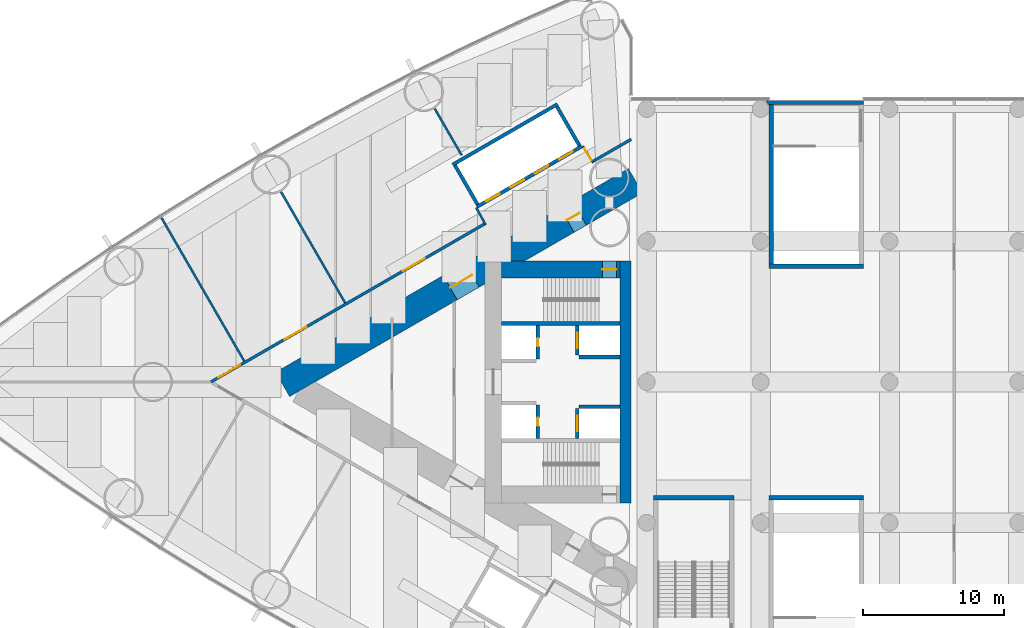
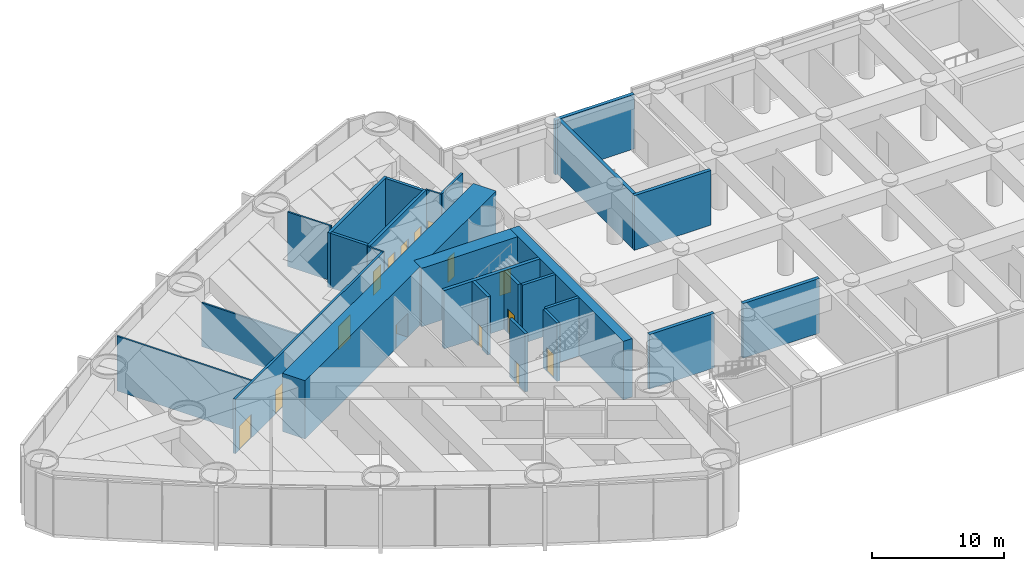
# One storey, part 15 of 20: 26 walls, 15 doors, 15 openings.
"""IFC4 building model written with IfcOpenShell, lengths in metres."""

from ifc_helpers import new_model, si_unit, direction, frame, frame_2d, origin, place, context, subcontext, project, spatial, rectangle, extrude, material, layer, layer_set, type_object, element, fill, save


model = new_model("IFC4")

# Units and contexts
model_context = context("Model", 3, precision=1e-05, world=origin(), true_north=direction((0.0, 1.0)))
body_context = subcontext(model_context, "Body", "Model", "MODEL_VIEW")
ifc_project = project(units=[si_unit("LENGTHUNIT", "METRE"), si_unit("AREAUNIT", "SQUARE_METRE"), si_unit("VOLUMEUNIT", "CUBIC_METRE"), si_unit("PLANEANGLEUNIT", "RADIAN"), si_unit("MASSUNIT", "GRAM", prefix="KILO")], contexts=[model_context])

# Site, building, storey
site_placement = place(None, origin())
site = spatial("IfcSite", under=ifc_project, at=site_placement, CompositionType="ELEMENT")
building_placement = place(site_placement, origin())
building = spatial("IfcBuilding", under=site, at=building_placement, Name="Lancet Gate Hotel", CompositionType="ELEMENT")
storey_placement = place(building_placement, frame((0.0, 0.0, 7.199951171875)))
storey = spatial("IfcBuildingStorey", under=building, at=storey_placement, Name="L01", CompositionType="ELEMENT", Elevation=7.199951171875)

# Wall, openings, doors
ifc_material_1 = material(Name="Concrete C70/85", Category="concrete")
ifc_layer_1 = layer(ifc_material_1, 2.0)
ifc_layer_set_1 = layer_set([ifc_layer_1], Name="Buttress wall 2000")
wall_type_1 = type_object("IfcWallType", Name="Buttress wall 2000", PredefinedType="SHEAR", material=ifc_layer_set_1)
wall_1_placement = place(storey_placement, frame((-27.199951171875, 14.300048828125, 0.0), z_axis=(0.0, 0.0, 1.0), x_axis=(-0.866026593062, -0.499997940104, 0.0)))
wall_1 = element("IfcWall", 1, at=wall_1_placement, inside=storey, type_object=wall_type_1, Name="T1 buttress wall S L01", PredefinedType="SHEAR", context=body_context, shape_type="SweptSolid", body=[
    extrude(rectangle(XDim=28.9462890625, YDim=2.0, at=frame_2d((14.47314453125, 0.0))), origin(), (0.0, 0.0, 1.0), 5.400146484375),
])
opening_1_placement = place(wall_1_placement, frame((4.60009765625, 0.0, 0.0)))
opening_1 = element("IfcOpeningElement", 2, at=opening_1_placement, cuts=wall_1, Name="Opening T1-L01-LS", PredefinedType="OPENING", context=body_context, shape_type="SweptSolid", body=[
    extrude(rectangle(XDim=1.0, YDim=2.199951171875, at=frame_2d((0.5, 1.10009765625))), frame((0.0, 1.010009765625, 0.0), z_axis=(0.0, -1.0, 0.0), x_axis=(1.0, 0.0, 0.0)), (0.0, 0.0, 1.0), 2.02001953125),
])
opening_2_placement = place(wall_1_placement, frame((13.39453125, 0.0, 0.0)))
opening_2 = element("IfcOpeningElement", 3, at=opening_2_placement, cuts=wall_1, Name="Opening T1-L01-LHS", PredefinedType="OPENING", context=body_context, shape_type="SweptSolid", body=[
    extrude(rectangle(XDim=1.800048828125, YDim=2.199951171875, at=frame_2d((0.89990234375, 1.10009765625))), frame((0.0, 1.010009765625, 0.0), z_axis=(0.0, -1.0, 0.0), x_axis=(1.0, 0.0, 0.0)), (0.0, 0.0, 1.0), 2.02001953125),
])
ifc_material_2 = material(Name="Timber door set", Category="wood")
door_type_1 = type_object("IfcDoorType", Name="Lobby double door 1800", OperationType="DOUBLE_DOOR_SINGLE_SWING", PredefinedType="DOOR", material=ifc_material_2)
door_1_placement = place(opening_2_placement, origin())
door_1 = element("IfcDoor", 4, at=door_1_placement, inside=storey, type_object=door_type_1, Name="T1-L01-LHS", OperationType="DOUBLE_DOOR_SINGLE_SWING", OverallHeight=2.199951171875, OverallWidth=1.800048828125, PredefinedType="DOOR", context=body_context, shape_type="SweptSolid", body=[
    extrude(rectangle(XDim=1.800048828125, YDim=2.199951171875, at=frame_2d((0.89990234375, 1.10009765625))), frame((0.0, 0.02490234375, 0.0), z_axis=(0.0, -1.0, 0.0), x_axis=(1.0, 0.0, 0.0)), (0.0, 0.0, 1.0), 0.050048828125),
])
fill(opening_2, door_1)
ifc_material_3 = material(Name="Timber door set", Category="wood")
door_type_2 = type_object("IfcDoorType", Name="Stair lobby door 1000", OperationType="SINGLE_SWING_LEFT", PredefinedType="DOOR", material=ifc_material_3)
door_2_placement = place(opening_1_placement, origin())
door_2 = element("IfcDoor", 5, at=door_2_placement, inside=storey, type_object=door_type_2, Name="T1-L01-LS", OperationType="SINGLE_SWING_LEFT", OverallHeight=2.199951171875, OverallWidth=1.0, PredefinedType="DOOR", context=body_context, shape_type="SweptSolid", body=[
    extrude(rectangle(XDim=1.0, YDim=2.199951171875, at=frame_2d((0.5, 1.10009765625))), frame((0.0, 0.02490234375, 0.0), z_axis=(0.0, -1.0, 0.0), x_axis=(1.0, 0.0, 0.0)), (0.0, 0.0, 1.0), 0.050048828125),
])
fill(opening_1, door_2)

# Wall, opening, door
ifc_material_4 = material(Name="Concrete C70/85", Category="concrete")
ifc_layer_2 = layer(ifc_material_4, 1.199951171875)
ifc_layer_set_2 = layer_set([ifc_layer_2], Name="Core wall 1200")
wall_type_2 = type_object("IfcWallType", Name="Core wall 1200", PredefinedType="SHEAR", material=ifc_layer_set_2)
wall_2_placement = place(storey_placement, frame((-28.300048828125, 8.0, 0.0), z_axis=(0.0, 0.0, 1.0), x_axis=(-1.0, 0.0, 0.0)))
wall_2 = element("IfcWall", 6, at=wall_2_placement, inside=storey, type_object=wall_type_2, Name="T1 core wall side-S L01", PredefinedType="SHEAR", context=body_context, shape_type="SweptSolid", body=[
    extrude(rectangle(XDim=8.39990234375, YDim=1.199951171875, at=frame_2d((4.199951171875, 0.0))), origin(), (0.0, 0.0, 1.0), 5.400146484375),
])
opening_3_placement = place(wall_2_placement, frame((0.25, 0.0, 0.0)))
opening_3 = element("IfcOpeningElement", 7, at=opening_3_placement, cuts=wall_2, Name="Opening T1-L01-ST1", PredefinedType="OPENING", context=body_context, shape_type="SweptSolid", body=[
    extrude(rectangle(XDim=1.0, YDim=2.199951171875, at=frame_2d((0.5, 1.10009765625))), frame((0.0, 0.60986328125, 0.0), z_axis=(0.0, -1.0, 0.0), x_axis=(1.0, 0.0, 0.0)), (0.0, 0.0, 1.0), 1.219970703125),
])
ifc_material_5 = material(Name="Timber door set", Category="wood")
door_type_3 = type_object("IfcDoorType", Name="Stair door 1000", OperationType="SINGLE_SWING_RIGHT", PredefinedType="DOOR", material=ifc_material_5)
door_3_placement = place(opening_3_placement, origin())
door_3 = element("IfcDoor", 8, at=door_3_placement, inside=storey, type_object=door_type_3, Name="T1-L01-ST1", OperationType="SINGLE_SWING_RIGHT", OverallHeight=2.199951171875, OverallWidth=1.0, PredefinedType="DOOR", context=body_context, shape_type="SweptSolid", body=[
    extrude(rectangle(XDim=1.0, YDim=2.199951171875, at=frame_2d((0.5, 1.10009765625))), frame((0.0, 0.02490234375, 0.0), z_axis=(0.0, -1.0, 0.0), x_axis=(1.0, 0.0, 0.0)), (0.0, 0.0, 1.0), 0.050048828125),
])
fill(opening_3, door_3)

# Walls
ifc_material_6 = material(Name="Concrete C70/85", Category="concrete")
ifc_layer_3 = layer(ifc_material_6, 0.800048828125)
ifc_layer_set_3 = layer_set([ifc_layer_3], Name="Core wall 800")
wall_type_3 = type_object("IfcWallType", Name="Core wall 800", PredefinedType="SHEAR", material=ifc_layer_set_3)
wall_3_placement = place(storey_placement, frame((-27.89990234375, 8.60009765625, 0.0), z_axis=(0.0, 0.0, 1.0), x_axis=(0.0, -1.0, 0.0)))
element("IfcWall", 9, at=wall_3_placement, inside=storey, type_object=wall_type_3, Name="T1 core wall front L01", PredefinedType="SHEAR", context=body_context, shape_type="SweptSolid", body=[
    extrude(rectangle(XDim=17.2001953125, YDim=0.800048828125, at=frame_2d((8.60009765625, 0.0))), origin(), (0.0, 0.0, 1.0), 5.400146484375),
])
ifc_material_7 = material(Name="Gypsum board partition")
ifc_layer_4 = layer(ifc_material_7, 0.199951171875)
ifc_layer_set_4 = layer_set([ifc_layer_4], Name="Corridor wall 200")
wall_type_4 = type_object("IfcWallType", Name="Corridor wall 200", PredefinedType="PARTITIONING", material=ifc_layer_set_4)
wall_4_placement = place(storey_placement, frame((-27.5, 17.244384765625, 0.0), z_axis=(0.0, 0.0, 1.0), x_axis=(-0.866039316896, -0.499975901009, 0.0)))
element("IfcWall", 10, at=wall_4_placement, inside=storey, type_object=wall_type_4, Name="T1 corridor wall 200 L01", PredefinedType="PARTITIONING", context=body_context, shape_type="SweptSolid", body=[
    extrude(rectangle(XDim=3.168701171875, YDim=0.199951171875, at=frame_2d((1.58447265625, 0.0))), origin(), (0.0, 0.0, 1.0), 5.050048828125),
])

# Wall, openings, doors
wall_5_placement = place(storey_placement, frame((-37.900146484375, 11.239990234375, 0.0), z_axis=(0.0, 0.0, 1.0), x_axis=(-0.866022995118, -0.50000417191, 0.0)))
wall_5 = element("IfcWall", 11, at=wall_5_placement, inside=storey, type_object=wall_type_4, Name="T1 corridor wall 200 L01", PredefinedType="PARTITIONING", context=body_context, shape_type="SweptSolid", body=[
    extrude(rectangle(XDim=22.479736328125, YDim=0.199951171875, at=frame_2d((11.23974609375, 0.0))), origin(), (0.0, 0.0, 1.0), 5.050048828125),
])
opening_4_placement = place(wall_5_placement, frame((14.643798828125, 0.0, 0.0)))
opening_4 = element("IfcOpeningElement", 12, at=opening_4_placement, cuts=wall_5, Name="Opening T1-L01-P103", PredefinedType="OPENING", context=body_context, shape_type="SweptSolid", body=[
    extrude(rectangle(XDim=1.800048828125, YDim=2.199951171875, at=frame_2d((0.89990234375, 1.10009765625))), frame((0.0, 0.10986328125, 0.0), z_axis=(0.0, -1.0, 0.0), x_axis=(1.0, 0.0, 0.0)), (0.0, 0.0, 1.0), 0.219970703125),
])
opening_5_placement = place(wall_5_placement, frame((20.069091796875, 0.0, 0.0)))
opening_5 = element("IfcOpeningElement", 13, at=opening_5_placement, cuts=wall_5, Name="Opening T1-L01-P104", PredefinedType="OPENING", context=body_context, shape_type="SweptSolid", body=[
    extrude(rectangle(XDim=1.800048828125, YDim=2.199951171875, at=frame_2d((0.89990234375, 1.10009765625))), frame((0.0, 0.10986328125, 0.0), z_axis=(0.0, -1.0, 0.0), x_axis=(1.0, 0.0, 0.0)), (0.0, 0.0, 1.0), 0.219970703125),
])
opening_6_placement = place(wall_5_placement, frame((4.914794921875, 0.0, 0.0)))
opening_6 = element("IfcOpeningElement", 14, at=opening_6_placement, cuts=wall_5, Name="Opening T1-L01-P102", PredefinedType="OPENING", context=body_context, shape_type="SweptSolid", body=[
    extrude(rectangle(XDim=1.800048828125, YDim=2.199951171875, at=frame_2d((0.89990234375, 1.10009765625))), frame((0.0, 0.10986328125, 0.0), z_axis=(0.0, -1.0, 0.0), x_axis=(1.0, 0.0, 0.0)), (0.0, 0.0, 1.0), 0.219970703125),
])
ifc_material_8 = material(Name="Timber door set", Category="wood")
door_type_4 = type_object("IfcDoorType", Name="Double door 1800", OperationType="DOUBLE_DOOR_SINGLE_SWING", PredefinedType="DOOR", material=ifc_material_8)
door_4_placement = place(opening_4_placement, origin())
door_4 = element("IfcDoor", 15, at=door_4_placement, inside=storey, type_object=door_type_4, Name="T1-L01-P103", OperationType="DOUBLE_DOOR_SINGLE_SWING", OverallHeight=2.199951171875, OverallWidth=1.800048828125, PredefinedType="DOOR", context=body_context, shape_type="SweptSolid", body=[
    extrude(rectangle(XDim=1.800048828125, YDim=2.199951171875, at=frame_2d((0.89990234375, 1.10009765625))), frame((0.0, 0.02490234375, 0.0), z_axis=(0.0, -1.0, 0.0), x_axis=(1.0, 0.0, 0.0)), (0.0, 0.0, 1.0), 0.050048828125),
])
fill(opening_4, door_4)
door_5_placement = place(opening_5_placement, origin())
door_5 = element("IfcDoor", 16, at=door_5_placement, inside=storey, type_object=door_type_4, Name="T1-L01-P104", OperationType="DOUBLE_DOOR_SINGLE_SWING", OverallHeight=2.199951171875, OverallWidth=1.800048828125, PredefinedType="DOOR", context=body_context, shape_type="SweptSolid", body=[
    extrude(rectangle(XDim=1.800048828125, YDim=2.199951171875, at=frame_2d((0.89990234375, 1.10009765625))), frame((0.0, 0.02490234375, 0.0), z_axis=(0.0, -1.0, 0.0), x_axis=(1.0, 0.0, 0.0)), (0.0, 0.0, 1.0), 0.050048828125),
])
fill(opening_5, door_5)
door_6_placement = place(opening_6_placement, origin())
door_6 = element("IfcDoor", 17, at=door_6_placement, inside=storey, type_object=door_type_4, Name="T1-L01-P102", OperationType="DOUBLE_DOOR_SINGLE_SWING", OverallHeight=2.199951171875, OverallWidth=1.800048828125, PredefinedType="DOOR", context=body_context, shape_type="SweptSolid", body=[
    extrude(rectangle(XDim=1.800048828125, YDim=2.199951171875, at=frame_2d((0.89990234375, 1.10009765625))), frame((0.0, 0.02490234375, 0.0), z_axis=(0.0, -1.0, 0.0), x_axis=(1.0, 0.0, 0.0)), (0.0, 0.0, 1.0), 0.050048828125),
])
fill(opening_6, door_6)

ifc_material_9 = material(Name="Gypsum board partition")
ifc_layer_5 = layer(ifc_material_9, 0.25)
ifc_layer_set_5 = layer_set([ifc_layer_5], Name="Lift shaft partition 250")
wall_type_5 = type_object("IfcWallType", Name="Lift shaft partition 250", PredefinedType="PARTITIONING", material=ifc_layer_set_5)
wall_6_placement = place(storey_placement, frame((-31.010498046875, 16.747314453125, 0.0), z_axis=(0.0, 0.0, 1.0), x_axis=(-0.866028165386, -0.499995216735, 0.0)))
wall_6 = element("IfcWall", 18, at=wall_6_placement, inside=storey, type_object=wall_type_5, Name="T1 lift shaft wall LR L01", PredefinedType="PARTITIONING", context=body_context, shape_type="SweptSolid", body=[
    extrude(rectangle(XDim=8.60009765625, YDim=0.25, at=frame_2d((4.300048828125, 0.0))), origin(), (0.0, 0.0, 1.0), 5.050048828125),
])
opening_7_placement = place(wall_6_placement, frame((0.75, 0.0, 0.0)))
opening_7 = element("IfcOpeningElement", 19, at=opening_7_placement, cuts=wall_6, Name="Opening T1-LR1-L01", PredefinedType="OPENING", context=body_context, shape_type="SweptSolid", body=[
    extrude(rectangle(XDim=1.10009765625, YDim=2.199951171875, at=frame_2d((0.550048828125, 1.10009765625))), frame((0.0, 0.135009765625, 0.0), z_axis=(0.0, -1.0, 0.0), x_axis=(1.0, 0.0, 0.0)), (0.0, 0.0, 1.0), 0.27001953125),
])
opening_8_placement = place(wall_6_placement, frame((2.75, 0.0, 0.0)))
opening_8 = element("IfcOpeningElement", 20, at=opening_8_placement, cuts=wall_6, Name="Opening T1-LR2-L01", PredefinedType="OPENING", context=body_context, shape_type="SweptSolid", body=[
    extrude(rectangle(XDim=1.10009765625, YDim=2.199951171875, at=frame_2d((0.550048828125, 1.10009765625))), frame((0.0, 0.135009765625, 0.0), z_axis=(0.0, -1.0, 0.0), x_axis=(1.0, 0.0, 0.0)), (0.0, 0.0, 1.0), 0.27001953125),
])
opening_9_placement = place(wall_6_placement, frame((4.75, 0.0, 0.0)))
opening_9 = element("IfcOpeningElement", 21, at=opening_9_placement, cuts=wall_6, Name="Opening T1-LR3-L01", PredefinedType="OPENING", context=body_context, shape_type="SweptSolid", body=[
    extrude(rectangle(XDim=1.10009765625, YDim=2.199951171875, at=frame_2d((0.550048828125, 1.10009765625))), frame((0.0, 0.135009765625, 0.0), z_axis=(0.0, -1.0, 0.0), x_axis=(1.0, 0.0, 0.0)), (0.0, 0.0, 1.0), 0.27001953125),
])
opening_10_placement = place(wall_6_placement, frame((6.75, 0.0, 0.0)))
opening_10 = element("IfcOpeningElement", 22, at=opening_10_placement, cuts=wall_6, Name="Opening T1-LR4-L01", PredefinedType="OPENING", context=body_context, shape_type="SweptSolid", body=[
    extrude(rectangle(XDim=1.10009765625, YDim=2.199951171875, at=frame_2d((0.550048828125, 1.10009765625))), frame((0.0, 0.135009765625, 0.0), z_axis=(0.0, -1.0, 0.0), x_axis=(1.0, 0.0, 0.0)), (0.0, 0.0, 1.0), 0.27001953125),
])
ifc_material_10 = material(Name="Steel door set", Category="steel")
door_type_5 = type_object("IfcDoorType", Name="Lift landing door 1100", OperationType="DOUBLE_DOOR_SLIDING", PredefinedType="USERDEFINED", material=ifc_material_10)
door_7_placement = place(opening_7_placement, origin())
door_7 = element("IfcDoor", 23, at=door_7_placement, inside=storey, type_object=door_type_5, Name="T1-LR1-L01", ObjectType="LIFT LANDING DOOR", OperationType="DOUBLE_DOOR_SLIDING", OverallHeight=2.199951171875, OverallWidth=1.10009765625, PredefinedType="USERDEFINED", context=body_context, shape_type="SweptSolid", body=[
    extrude(rectangle(XDim=1.10009765625, YDim=2.199951171875, at=frame_2d((0.550048828125, 1.10009765625))), frame((0.0, 0.02490234375, 0.0), z_axis=(0.0, -1.0, 0.0), x_axis=(1.0, 0.0, 0.0)), (0.0, 0.0, 1.0), 0.050048828125),
])
fill(opening_7, door_7)
door_8_placement = place(opening_8_placement, origin())
door_8 = element("IfcDoor", 24, at=door_8_placement, inside=storey, type_object=door_type_5, Name="T1-LR2-L01", ObjectType="LIFT LANDING DOOR", OperationType="DOUBLE_DOOR_SLIDING", OverallHeight=2.199951171875, OverallWidth=1.10009765625, PredefinedType="USERDEFINED", context=body_context, shape_type="SweptSolid", body=[
    extrude(rectangle(XDim=1.10009765625, YDim=2.199951171875, at=frame_2d((0.550048828125, 1.10009765625))), frame((0.0, 0.02490234375, 0.0), z_axis=(0.0, -1.0, 0.0), x_axis=(1.0, 0.0, 0.0)), (0.0, 0.0, 1.0), 0.050048828125),
])
fill(opening_8, door_8)
door_9_placement = place(opening_9_placement, origin())
door_9 = element("IfcDoor", 25, at=door_9_placement, inside=storey, type_object=door_type_5, Name="T1-LR3-L01", ObjectType="LIFT LANDING DOOR", OperationType="DOUBLE_DOOR_SLIDING", OverallHeight=2.199951171875, OverallWidth=1.10009765625, PredefinedType="USERDEFINED", context=body_context, shape_type="SweptSolid", body=[
    extrude(rectangle(XDim=1.10009765625, YDim=2.199951171875, at=frame_2d((0.550048828125, 1.10009765625))), frame((0.0, 0.02490234375, 0.0), z_axis=(0.0, -1.0, 0.0), x_axis=(1.0, 0.0, 0.0)), (0.0, 0.0, 1.0), 0.050048828125),
])
fill(opening_9, door_9)
door_10_placement = place(opening_10_placement, origin())
door_10 = element("IfcDoor", 26, at=door_10_placement, inside=storey, type_object=door_type_5, Name="T1-LR4-L01", ObjectType="LIFT LANDING DOOR", OperationType="DOUBLE_DOOR_SLIDING", OverallHeight=2.199951171875, OverallWidth=1.10009765625, PredefinedType="USERDEFINED", context=body_context, shape_type="SweptSolid", body=[
    extrude(rectangle(XDim=1.10009765625, YDim=2.199951171875, at=frame_2d((0.550048828125, 1.10009765625))), frame((0.0, 0.02490234375, 0.0), z_axis=(0.0, -1.0, 0.0), x_axis=(1.0, 0.0, 0.0)), (0.0, 0.0, 1.0), 0.050048828125),
])
fill(opening_10, door_10)

# Walls
wall_7_placement = place(storey_placement, frame((-32.735595703125, 19.73583984375, 0.0), z_axis=(0.0, 0.0, 1.0), x_axis=(-0.866028165386, -0.499995216735, 0.0)))
element("IfcWall", 27, at=wall_7_placement, inside=storey, type_object=wall_type_5, Name="T1 lift shaft wall LR L01", PredefinedType="PARTITIONING", context=body_context, shape_type="SweptSolid", body=[
    extrude(rectangle(XDim=8.60009765625, YDim=0.25, at=frame_2d((4.300048828125, 0.0))), origin(), (0.0, 0.0, 1.0), 5.050048828125),
])
wall_8_placement = place(storey_placement, frame((-31.18115234375, 16.79296875, 0.0), z_axis=(0.0, 0.0, 1.0), x_axis=(-0.499929347863, 0.866066190972, 0.0)))
element("IfcWall", 28, at=wall_8_placement, inside=storey, type_object=wall_type_5, Name="T1 lift shaft wall LR L01", PredefinedType="PARTITIONING", context=body_context, shape_type="SweptSolid", body=[
    extrude(rectangle(XDim=3.20068359375, YDim=0.25, at=frame_2d((1.600341796875, 0.0))), origin(), (0.0, 0.0, 1.0), 5.050048828125),
])
wall_9_placement = place(storey_placement, frame((-38.412841796875, 12.617919921875, 0.0), z_axis=(0.0, 0.0, 1.0), x_axis=(-0.499872130319, 0.866099216793, 0.0)))
element("IfcWall", 29, at=wall_9_placement, inside=storey, type_object=wall_type_5, Name="T1 lift shaft wall LR L01", PredefinedType="PARTITIONING", context=body_context, shape_type="SweptSolid", body=[
    extrude(rectangle(XDim=3.200439453125, YDim=0.25, at=frame_2d((1.60009765625, 0.0))), origin(), (0.0, 0.0, 1.0), 5.050048828125),
])

# Wall, opening, door
ifc_material_11 = material(Name="Concrete C50/60", Category="concrete")
ifc_layer_6 = layer(ifc_material_11, 0.25)
ifc_layer_set_6 = layer_set([ifc_layer_6], Name="Lift shaft wall 250")
wall_type_6 = type_object("IfcWallType", Name="Lift shaft wall 250", PredefinedType="SHEAR", material=ifc_layer_set_6)
wall_10_placement = place(storey_placement, frame((-31.324951171875, 4.0, 0.0), z_axis=(0.0, 0.0, 1.0), x_axis=(0.0, -1.0, 0.0)))
wall_10 = element("IfcWall", 30, at=wall_10_placement, inside=storey, type_object=wall_type_6, Name="T1 core wall row1-S L01", PredefinedType="SHEAR", context=body_context, shape_type="SweptSolid", body=[
    extrude(rectangle(XDim=2.10009765625, YDim=0.25, at=frame_2d((1.050048828125, 0.0))), origin(), (0.0, 0.0, 1.0), 5.400146484375),
])
opening_11_placement = place(wall_10_placement, frame((0.5, 0.0, 0.0)))
opening_11 = element("IfcOpeningElement", 31, at=opening_11_placement, cuts=wall_10, Name="Opening T1-SL1-L01", PredefinedType="OPENING", context=body_context, shape_type="SweptSolid", body=[
    extrude(rectangle(XDim=1.10009765625, YDim=2.199951171875, at=frame_2d((0.550048828125, 1.10009765625))), frame((0.0, 0.135009765625, 0.0), z_axis=(0.0, -1.0, 0.0), x_axis=(1.0, 0.0, 0.0)), (0.0, 0.0, 1.0), 0.27001953125),
])
ifc_material_12 = material(Name="Timber door set", Category="wood")
door_type_6 = type_object("IfcDoorType", Name="Service lift landing door 1100", OperationType="SLIDING_TO_LEFT", PredefinedType="USERDEFINED", material=ifc_material_12)
door_11_placement = place(opening_11_placement, origin())
door_11 = element("IfcDoor", 32, at=door_11_placement, inside=storey, type_object=door_type_6, Name="T1-SL1-L01", ObjectType="LIFT LANDING DOOR", OperationType="SLIDING_TO_LEFT", OverallHeight=2.199951171875, OverallWidth=1.10009765625, PredefinedType="USERDEFINED", context=body_context, shape_type="SweptSolid", body=[
    extrude(rectangle(XDim=1.10009765625, YDim=2.199951171875, at=frame_2d((0.550048828125, 1.10009765625))), frame((0.0, 0.02490234375, 0.0), z_axis=(0.0, -1.0, 0.0), x_axis=(1.0, 0.0, 0.0)), (0.0, 0.0, 1.0), 0.050048828125),
])
fill(opening_11, door_11)

wall_11_placement = place(storey_placement, frame((-34.125, 4.0, 0.0), z_axis=(0.0, 0.0, 1.0), x_axis=(0.0, -1.0, 0.0)))
wall_11 = element("IfcWall", 33, at=wall_11_placement, inside=storey, type_object=wall_type_6, Name="T1 core wall row2-S L01", PredefinedType="SHEAR", context=body_context, shape_type="SweptSolid", body=[
    extrude(rectangle(XDim=2.35009765625, YDim=0.25, at=frame_2d((1.175048828125, 0.0))), origin(), (0.0, 0.0, 1.0), 5.400146484375),
])
opening_12_placement = place(wall_11_placement, frame((0.875, 0.0, 0.0)))
opening_12 = element("IfcOpeningElement", 34, at=opening_12_placement, cuts=wall_11, Name="Opening T1-OL3-L01-E", PredefinedType="OPENING", context=body_context, shape_type="SweptSolid", body=[
    extrude(rectangle(XDim=0.60009765625, YDim=2.0, at=frame_2d((0.300048828125, 1.0))), frame((0.0, 0.135009765625, 0.0), z_axis=(0.0, -1.0, 0.0), x_axis=(1.0, 0.0, 0.0)), (0.0, 0.0, 1.0), 0.27001953125),
])
ifc_material_13 = material(Name="Steel door set", Category="steel")
door_type_7 = type_object("IfcDoorType", Name="Lift shaft emergency door 600x2000", OperationType="SLIDING_TO_LEFT", PredefinedType="DOOR", material=ifc_material_13)
door_12_placement = place(opening_12_placement, origin())
door_12 = element("IfcDoor", 35, at=door_12_placement, inside=storey, type_object=door_type_7, Name="T1-OL3-L01-E", OperationType="SLIDING_TO_LEFT", OverallHeight=2.0, OverallWidth=0.60009765625, PredefinedType="DOOR", context=body_context, shape_type="SweptSolid", body=[
    extrude(rectangle(XDim=0.60009765625, YDim=2.0, at=frame_2d((0.300048828125, 1.0))), frame((0.0, 0.02490234375, 0.0), z_axis=(0.0, -1.0, 0.0), x_axis=(1.0, 0.0, 0.0)), (0.0, 0.0, 1.0), 0.050048828125),
])
fill(opening_12, door_12)

# Wall
wall_12_placement = place(storey_placement, frame((-28.300048828125, 1.77490234375, 0.0), z_axis=(0.0, 0.0, 1.0), x_axis=(-1.0, 0.0, 0.0)))
element("IfcWall", 36, at=wall_12_placement, inside=storey, type_object=wall_type_6, Name="T1 core wall pass1-S L01", PredefinedType="SHEAR", context=body_context, shape_type="SweptSolid", body=[
    extrude(rectangle(XDim=2.89990234375, YDim=0.25, at=frame_2d((1.449951171875, 0.0))), origin(), (0.0, 0.0, 1.0), 5.400146484375),
])

# Wall, opening, door
wall_13_placement = place(storey_placement, frame((-31.324951171875, -1.89990234375, 0.0), z_axis=(0.0, 0.0, 1.0), x_axis=(0.0, -1.0, 0.0)))
wall_13 = element("IfcWall", 37, at=wall_13_placement, inside=storey, type_object=wall_type_6, Name="T1 core wall row1-N L01", PredefinedType="SHEAR", context=body_context, shape_type="SweptSolid", body=[
    extrude(rectangle(XDim=2.10009765625, YDim=0.25, at=frame_2d((1.050048828125, 0.0))), origin(), (0.0, 0.0, 1.0), 5.400146484375),
])
opening_13_placement = place(wall_13_placement, frame((0.5, 0.0, 0.0)))
opening_13 = element("IfcOpeningElement", 38, at=opening_13_placement, cuts=wall_13, Name="Opening T1-FL2-L01", PredefinedType="OPENING", context=body_context, shape_type="SweptSolid", body=[
    extrude(rectangle(XDim=1.10009765625, YDim=2.199951171875, at=frame_2d((0.550048828125, 1.10009765625))), frame((0.0, 0.135009765625, 0.0), z_axis=(0.0, -1.0, 0.0), x_axis=(1.0, 0.0, 0.0)), (0.0, 0.0, 1.0), 0.27001953125),
])
ifc_material_14 = material(Name="Steel door set", Category="steel")
door_type_8 = type_object("IfcDoorType", Name="Firefighting lift landing door 1100", OperationType="SLIDING_TO_LEFT", PredefinedType="USERDEFINED", material=ifc_material_14)
door_13_placement = place(opening_13_placement, origin())
door_13 = element("IfcDoor", 39, at=door_13_placement, inside=storey, type_object=door_type_8, Name="T1-FL2-L01", ObjectType="LIFT LANDING DOOR", OperationType="SLIDING_TO_LEFT", OverallHeight=2.199951171875, OverallWidth=1.10009765625, PredefinedType="USERDEFINED", context=body_context, shape_type="SweptSolid", body=[
    extrude(rectangle(XDim=1.10009765625, YDim=2.199951171875, at=frame_2d((0.550048828125, 1.10009765625))), frame((0.0, 0.02490234375, 0.0), z_axis=(0.0, -1.0, 0.0), x_axis=(1.0, 0.0, 0.0)), (0.0, 0.0, 1.0), 0.050048828125),
])
fill(opening_13, door_13)

wall_14_placement = place(storey_placement, frame((-34.125, -1.64990234375, 0.0), z_axis=(0.0, 0.0, 1.0), x_axis=(0.0, -1.0, 0.0)))
wall_14 = element("IfcWall", 40, at=wall_14_placement, inside=storey, type_object=wall_type_6, Name="T1 core wall row2-N L01", PredefinedType="SHEAR", context=body_context, shape_type="SweptSolid", body=[
    extrude(rectangle(XDim=2.35009765625, YDim=0.25, at=frame_2d((1.175048828125, 0.0))), origin(), (0.0, 0.0, 1.0), 5.400146484375),
])
opening_14_placement = place(wall_14_placement, frame((0.875, 0.0, 0.0)))
opening_14 = element("IfcOpeningElement", 41, at=opening_14_placement, cuts=wall_14, Name="Opening T1-OL4-L01-E", PredefinedType="OPENING", context=body_context, shape_type="SweptSolid", body=[
    extrude(rectangle(XDim=0.60009765625, YDim=2.0, at=frame_2d((0.300048828125, 1.0))), frame((0.0, 0.135009765625, 0.0), z_axis=(0.0, -1.0, 0.0), x_axis=(1.0, 0.0, 0.0)), (0.0, 0.0, 1.0), 0.27001953125),
])
door_14_placement = place(opening_14_placement, origin())
door_14 = element("IfcDoor", 42, at=door_14_placement, inside=storey, type_object=door_type_7, Name="T1-OL4-L01-E", OperationType="SLIDING_TO_LEFT", OverallHeight=2.0, OverallWidth=0.60009765625, PredefinedType="DOOR", context=body_context, shape_type="SweptSolid", body=[
    extrude(rectangle(XDim=0.60009765625, YDim=2.0, at=frame_2d((0.300048828125, 1.0))), frame((0.0, 0.02490234375, 0.0), z_axis=(0.0, -1.0, 0.0), x_axis=(1.0, 0.0, 0.0)), (0.0, 0.0, 1.0), 0.050048828125),
])
fill(opening_14, door_14)

# Walls
wall_15_placement = place(storey_placement, frame((-28.300048828125, -1.77490234375, 0.0), z_axis=(0.0, 0.0, 1.0), x_axis=(-1.0, 0.0, 0.0)))
element("IfcWall", 43, at=wall_15_placement, inside=storey, type_object=wall_type_6, Name="T1 core wall pass1-N L01", PredefinedType="SHEAR", context=body_context, shape_type="SweptSolid", body=[
    extrude(rectangle(XDim=2.89990234375, YDim=0.25, at=frame_2d((1.449951171875, 0.0))), origin(), (0.0, 0.0, 1.0), 5.400146484375),
])
ifc_material_15 = material(Name="Gypsum board partition")
ifc_layer_7 = layer(ifc_material_15, 0.14990234375)
ifc_layer_set_7 = layer_set([ifc_layer_7], Name="Party wall 150")
wall_type_7 = type_object("IfcWallType", Name="Party wall 150", PredefinedType="PARTITIONING", material=ifc_layer_set_7)
wall_16_placement = place(storey_placement, frame((-47.826904296875, 5.624267578125, 0.0), z_axis=(0.0, 0.0, 1.0), x_axis=(-0.499995404498, 0.866028056982, 0.0)))
element("IfcWall", 44, at=wall_16_placement, inside=storey, type_object=wall_type_7, Name="T1 party wall 150 L01", PredefinedType="PARTITIONING", context=body_context, shape_type="SweptSolid", body=[
    extrude(rectangle(XDim=9.1103515625, YDim=0.14990234375, at=frame_2d((4.55517578125, 0.0))), origin(), (0.0, 0.0, 1.0), 4.050048828125),
])
wall_17_placement = place(storey_placement, frame((-54.99609375, 1.485107421875, 0.0), z_axis=(0.0, 0.0, 1.0), x_axis=(-0.500002871521, 0.866023745905, 0.0)))
element("IfcWall", 45, at=wall_17_placement, inside=storey, type_object=wall_type_7, Name="T1 party wall 150 L01", PredefinedType="PARTITIONING", context=body_context, shape_type="SweptSolid", body=[
    extrude(rectangle(XDim=11.7568359375, YDim=0.14990234375, at=frame_2d((5.87841796875, 0.0))), origin(), (0.0, 0.0, 1.0), 5.050048828125),
])
wall_18_placement = place(storey_placement, frame((-39.55078125, 16.11865234375, 0.0), z_axis=(0.0, 0.0, 1.0), x_axis=(-0.500014214979, 0.866017196607, 0.0)))
element("IfcWall", 46, at=wall_18_placement, inside=storey, type_object=wall_type_7, Name="T1 party wall 150 L01", PredefinedType="PARTITIONING", context=body_context, shape_type="SweptSolid", body=[
    extrude(rectangle(XDim=3.81494140625, YDim=0.14990234375, at=frame_2d((1.907470703125, 0.0))), origin(), (0.0, 0.0, 1.0), 5.050048828125),
])
ifc_material_16 = material(Name="Dense concrete blockwork", Category="masonry")
ifc_layer_8 = layer(ifc_material_16, 0.300048828125)
ifc_layer_set_8 = layer_set([ifc_layer_8], Name="Podium stair enclosure wall 300")
wall_type_8 = type_object("IfcWallType", Name="Podium stair enclosure wall 300", PredefinedType="SOLIDWALL", material=ifc_layer_set_8)
wall_19_placement = place(storey_placement, frame((-17.699951171875, -8.22998046875, 0.0), z_axis=(0.0, 0.0, 1.0), x_axis=(1.0, 0.0, 0.0)))
element("IfcWall", 47, at=wall_19_placement, inside=storey, type_object=wall_type_8, Name="Podium stair PS3 encl wall inner L01", PredefinedType="SOLIDWALL", context=body_context, shape_type="SweptSolid", body=[
    extrude(rectangle(XDim=6.699951171875, YDim=0.300048828125, at=frame_2d((3.35009765625, 0.0))), origin(), (0.0, 0.0, 1.0), 5.050048828125),
])
wall_20_placement = place(storey_placement, frame((-17.903076171875, 19.85009765625, 0.0), z_axis=(0.0, 0.0, 1.0), x_axis=(1.0, 0.0, 0.0)))
element("IfcWall", 48, at=wall_20_placement, inside=storey, type_object=wall_type_8, Name="Podium stair PS4 encl wall outer L01", PredefinedType="SOLIDWALL", context=body_context, shape_type="SweptSolid", body=[
    extrude(rectangle(XDim=6.903076171875, YDim=0.300048828125, at=frame_2d((3.45166015625, 0.0))), origin(), (0.0, 0.0, 1.0), 5.050048828125),
])
wall_21_placement = place(storey_placement, frame((-17.699951171875, 8.22998046875, 0.0), z_axis=(0.0, 0.0, 1.0), x_axis=(1.0, 0.0, 0.0)))
element("IfcWall", 49, at=wall_21_placement, inside=storey, type_object=wall_type_8, Name="Podium stair PS4 encl wall inner L01", PredefinedType="SOLIDWALL", context=body_context, shape_type="SweptSolid", body=[
    extrude(rectangle(XDim=6.699951171875, YDim=0.300048828125, at=frame_2d((3.35009765625, 0.0))), origin(), (0.0, 0.0, 1.0), 5.050048828125),
])
wall_22_placement = place(storey_placement, frame((-17.550048828125, 8.3798828125, 0.0), z_axis=(0.0, 0.0, 1.0), x_axis=(0.0, 1.0, 0.0)))
element("IfcWall", 50, at=wall_22_placement, inside=storey, type_object=wall_type_8, Name="Podium stair PS4 encl wall far L01", PredefinedType="SOLIDWALL", context=body_context, shape_type="SweptSolid", body=[
    extrude(rectangle(XDim=11.320068359375, YDim=0.300048828125, at=frame_2d((5.66015625, 0.0))), origin(), (0.0, 0.0, 1.0), 5.050048828125),
])
wall_23_placement = place(storey_placement, frame((-25.89990234375, -8.22998046875, 0.0), z_axis=(0.0, 0.0, 1.0), x_axis=(1.0, 0.0, 0.0)))
element("IfcWall", 51, at=wall_23_placement, inside=storey, type_object=wall_type_8, Name="Podium stair PS6 encl wall inner L01", PredefinedType="SOLIDWALL", context=body_context, shape_type="SweptSolid", body=[
    extrude(rectangle(XDim=5.699951171875, YDim=0.300048828125, at=frame_2d((2.85009765625, 0.0))), origin(), (0.0, 0.0, 1.0), 5.050048828125),
])

# Wall, opening, door
ifc_material_17 = material(Name="Gypsum board partition")
ifc_layer_9 = layer(ifc_material_17, 0.14990234375)
ifc_layer_set_9 = layer_set([ifc_layer_9], Name="Service room wall 150")
wall_type_9 = type_object("IfcWallType", Name="Service room wall 150", PredefinedType="PARTITIONING", material=ifc_layer_set_9)
wall_24_placement = place(storey_placement, frame((-30.207275390625, 15.56591796875, 0.0), z_axis=(0.0, 0.0, 1.0), x_axis=(-0.518374889333, 0.855153479855, 0.0)))
wall_24 = element("IfcWall", 52, at=wall_24_placement, inside=storey, type_object=wall_type_9, Name="T1 service room wall 150 L01", PredefinedType="PARTITIONING", context=body_context, shape_type="SweptSolid", body=[
    extrude(rectangle(XDim=1.405029296875, YDim=0.14990234375, at=frame_2d((0.70263671875, 0.0))), origin(), (0.0, 0.0, 1.0), 5.050048828125),
])
opening_15_placement = place(wall_24_placement, frame((0.202392578125, 0.0, 0.0)))
opening_15 = element("IfcOpeningElement", 53, at=opening_15_placement, cuts=wall_24, Name="Opening T1-L01-P101", PredefinedType="OPENING", context=body_context, shape_type="SweptSolid", body=[
    extrude(rectangle(XDim=1.0, YDim=2.199951171875, at=frame_2d((0.5, 1.10009765625))), frame((0.0, 0.0849609375, 0.0), z_axis=(0.0, -1.0, 0.0), x_axis=(1.0, 0.0, 0.0)), (0.0, 0.0, 1.0), 0.169921875),
])
ifc_material_18 = material(Name="Timber door set", Category="wood")
door_type_9 = type_object("IfcDoorType", Name="Service door 1000", OperationType="SINGLE_SWING_LEFT", PredefinedType="DOOR", material=ifc_material_18)
door_15_placement = place(opening_15_placement, origin())
door_15 = element("IfcDoor", 54, at=door_15_placement, inside=storey, type_object=door_type_9, Name="T1-L01-P101", OperationType="SINGLE_SWING_LEFT", OverallHeight=2.199951171875, OverallWidth=1.0, PredefinedType="DOOR", context=body_context, shape_type="SweptSolid", body=[
    extrude(rectangle(XDim=1.0, YDim=2.199951171875, at=frame_2d((0.5, 1.10009765625))), frame((0.0, 0.02490234375, 0.0), z_axis=(0.0, -1.0, 0.0), x_axis=(1.0, 0.0, 0.0)), (0.0, 0.0, 1.0), 0.050048828125),
])
fill(opening_15, door_15)

# Walls
wall_25_placement = place(storey_placement, frame((-38.513427734375, 12.392333984375, 0.0), z_axis=(0.0, 0.0, 1.0), x_axis=(0.481358300093, -0.876523922624, 0.0)))
element("IfcWall", 55, at=wall_25_placement, inside=storey, type_object=wall_type_9, Name="T1 service room wall 150 L01", PredefinedType="PARTITIONING", context=body_context, shape_type="SweptSolid", body=[
    extrude(rectangle(XDim=1.405029296875, YDim=0.14990234375, at=frame_2d((0.70263671875, 0.0))), origin(), (0.0, 0.0, 1.0), 5.050048828125),
])
ifc_material_19 = material(Name="Concrete C50/60", Category="concrete")
ifc_layer_10 = layer(ifc_material_19, 0.300048828125)
ifc_layer_set_10 = layer_set([ifc_layer_10], Name="Stair enclosure wall 300")
wall_type_10 = type_object("IfcWallType", Name="Stair enclosure wall 300", PredefinedType="SHEAR", material=ifc_layer_set_10)
wall_26_placement = place(storey_placement, frame((-28.300048828125, 4.14990234375, 0.0), z_axis=(0.0, 0.0, 1.0), x_axis=(-1.0, 0.0, 0.0)))
element("IfcWall", 56, at=wall_26_placement, inside=storey, type_object=wall_type_10, Name="T1 core wall stair-S L01", PredefinedType="SHEAR", context=body_context, shape_type="SweptSolid", body=[
    extrude(rectangle(XDim=8.39990234375, YDim=0.300048828125, at=frame_2d((4.199951171875, 0.0))), origin(), (0.0, 0.0, 1.0), 5.400146484375),
])

save(model, "model.ifc")
